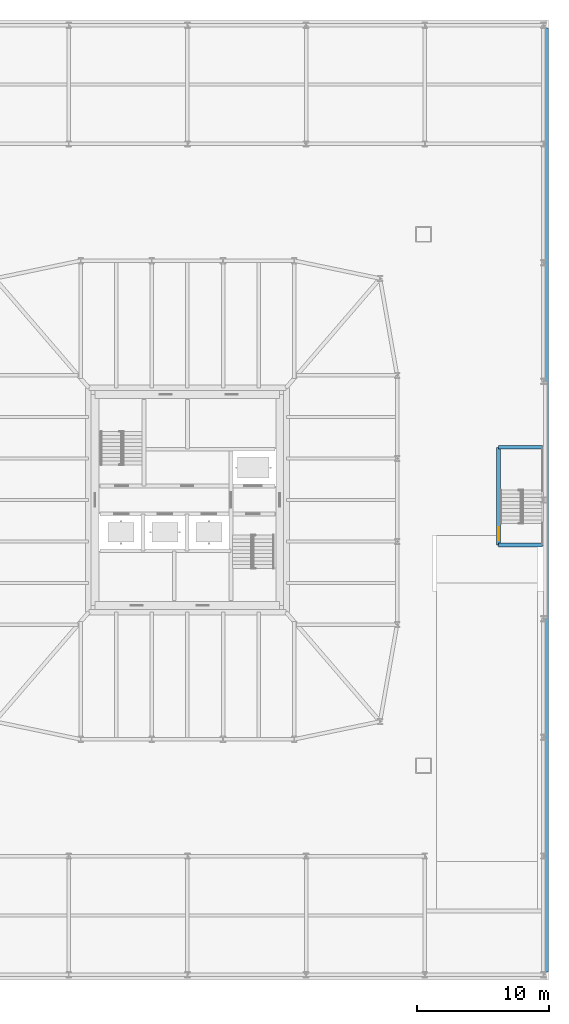
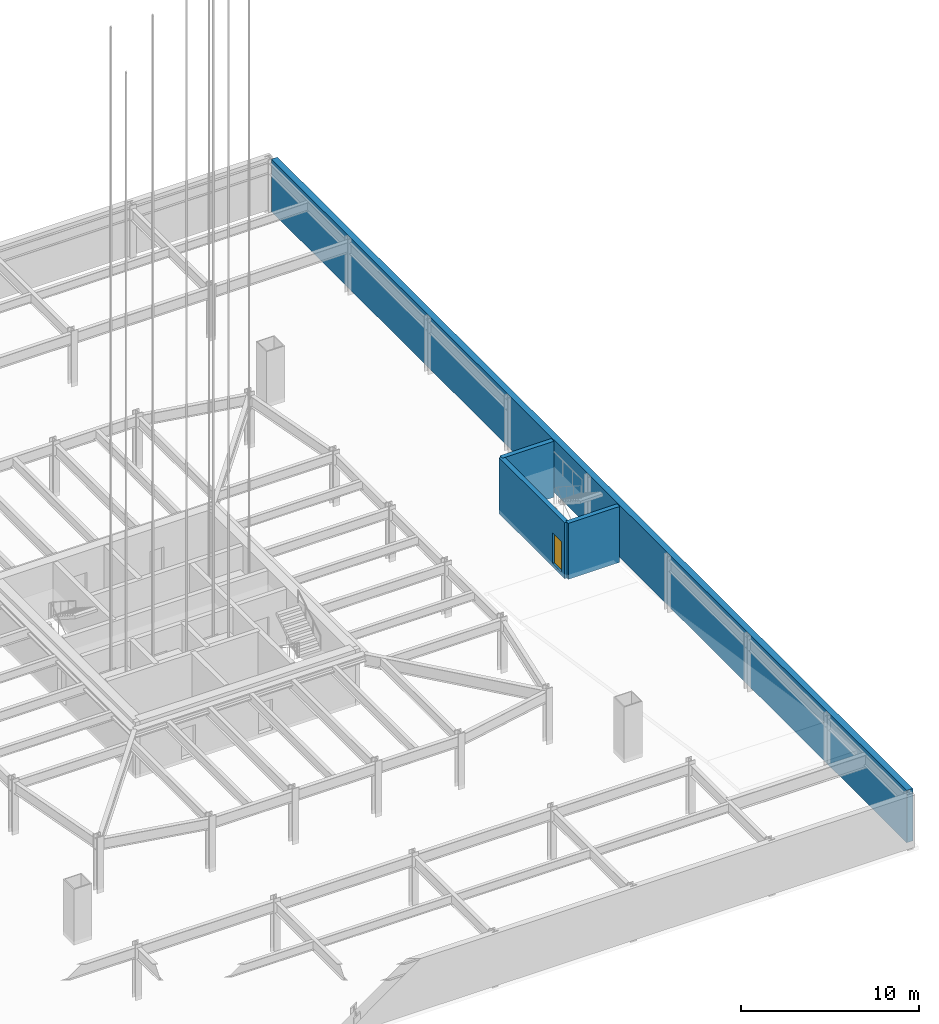
# One storey, part 16 of 35: 4 walls, 1 door, 1 opening.
"""IFC4 building model written with IfcOpenShell, lengths in metres."""

from ifc_helpers import new_model, si_unit, direction, frame, frame_2d, origin, place, context, subcontext, project, spatial, rectangle, extrude, material, layer, layer_set, type_object, element, fill, save


model = new_model("IFC4")

# Units and contexts
model_context = context("Model", 3, precision=1e-05, world=origin(), true_north=direction((0.0, 1.0)))
body_context = subcontext(model_context, "Body", "Model", "MODEL_VIEW")
ifc_project = project(units=[si_unit("LENGTHUNIT", "METRE"), si_unit("AREAUNIT", "SQUARE_METRE"), si_unit("VOLUMEUNIT", "CUBIC_METRE"), si_unit("PLANEANGLEUNIT", "RADIAN"), si_unit("MASSUNIT", "GRAM", prefix="KILO")], contexts=[model_context])

# Site, building, storey
site_placement = place(None, origin())
site = spatial("IfcSite", under=ifc_project, at=site_placement, CompositionType="ELEMENT")
building_placement = place(site_placement, origin())
building = spatial("IfcBuilding", under=site, at=building_placement, Name="Iwan Alto Co-Living Towers", CompositionType="ELEMENT")
storey_placement = place(building_placement, frame((0.0, 0.0, -7.199951171875)))
storey = spatial("IfcBuildingStorey", under=building, at=storey_placement, Name="B2", CompositionType="ELEMENT", Elevation=-7.199951171875)

# Walls
ifc_material_1 = material(Name="Concrete f'c 70 MPa", Category="concrete")
ifc_layer_1 = layer(ifc_material_1, 0.39990234375)
ifc_layer_set_1 = layer_set([ifc_layer_1], Name="BASEMENT RETAINING WALL 400")
wall_type_1 = type_object("IfcWallType", Name="BASEMENT RETAINING WALL 400", PredefinedType="SOLIDWALL", material=ifc_layer_set_1)
wall_1_placement = place(storey_placement, frame((90.199951171875, -35.800048828125, 0.0), z_axis=(0.0, 0.0, 1.0), x_axis=(0.0, 1.0, 0.0)))
element("IfcWall", 1, at=wall_1_placement, inside=storey, type_object=wall_type_1, Name="Basement retaining wall E B2", PredefinedType="SOLIDWALL", context=body_context, shape_type="SweptSolid", body=[
    extrude(rectangle(XDim=71.60009765625, YDim=0.39990234375, at=frame_2d((35.800048828125, 0.0))), origin(), (0.0, 0.0, 1.0), 3.599853515625),
])
ifc_material_2 = material(Name="Concrete f'c 70 MPa", Category="concrete")
ifc_layer_2 = layer(ifc_material_2, 0.300048828125)
ifc_layer_set_2 = layer_set([ifc_layer_2], Name="SHAFT WALL 300")
wall_type_2 = type_object("IfcWallType", Name="SHAFT WALL 300", PredefinedType="SOLIDWALL", material=ifc_layer_set_2)
for number, where, z_axis, x_axis, name in (
    (2, (86.60009765625, -3.39990234375, -0.25), (0.0, 0.0, 1.0), (1.0, 0.0, 0.0), "Shaft wall B2"),
    (3, (86.60009765625, 4.0, -0.25), (0.0, 0.0, 1.0), (1.0, 0.0, 0.0), "Shaft wall B2"),
):
    element("IfcWall", number, at=place(storey_placement, frame(where, z_axis=z_axis, x_axis=x_axis)), inside=storey, type_object=wall_type_2, Name=name, PredefinedType="SOLIDWALL", context=body_context, shape_type="SweptSolid", body=[
        extrude(rectangle(XDim=3.33984375, YDim=0.300048828125, at=frame_2d((1.669921875, 0.0))), origin(), (0.0, 0.0, 1.0), 3.849853515625),
    ])

# Wall, opening, door
wall_2_placement = place(storey_placement, frame((86.60009765625, -3.39990234375, -0.25), z_axis=(0.0, 0.0, 1.0), x_axis=(0.0, 1.0, 0.0)))
wall_2 = element("IfcWall", 4, at=wall_2_placement, inside=storey, type_object=wall_type_2, Name="Shaft wall B2", PredefinedType="SOLIDWALL", context=body_context, shape_type="SweptSolid", body=[
    extrude(rectangle(XDim=7.39990234375, YDim=0.300048828125, at=frame_2d((3.699951171875, 0.0))), origin(), (0.0, 0.0, 1.0), 3.849853515625),
])
opening_placement = place(wall_2_placement, frame((0.35009765625, 0.0, 0.25)))
opening = element("IfcOpeningElement", 5, at=opening_placement, cuts=wall_2, Name="Opening D5", PredefinedType="OPENING", context=body_context, shape_type="SweptSolid", body=[
    extrude(rectangle(XDim=1.0, YDim=2.10009765625, at=frame_2d((0.5, 1.050048828125))), frame((0.0, 0.159912109375, 0.0), z_axis=(0.0, -1.0, 0.0), x_axis=(1.0, 0.0, 0.0)), (0.0, 0.0, 1.0), 0.320068359375),
])
ifc_material_3 = material(Name="Steel frame with timber leaf", Category="steel")
door_type = type_object("IfcDoorType", Name="STAIR DOOR FD120S 1000X2100", OperationType="SINGLE_SWING_LEFT", PredefinedType="DOOR", material=ifc_material_3)
door_placement = place(opening_placement, frame((1.0, 0.0, 0.0), z_axis=(0.0, 0.0, 1.0), x_axis=(-1.0, 0.0, 0.0)))
door = element("IfcDoor", 6, at=door_placement, inside=storey, type_object=door_type, Name="Stair PS2 door B2", OperationType="SINGLE_SWING_RIGHT", OverallHeight=2.10009765625, OverallWidth=1.0, PredefinedType="DOOR", context=body_context, shape_type="SweptSolid", body=[
    extrude(rectangle(XDim=1.0, YDim=2.10009765625, at=frame_2d((0.5, 1.050048828125))), frame((0.0, 0.02490234375, 0.0), z_axis=(0.0, -1.0, 0.0), x_axis=(1.0, 0.0, 0.0)), (0.0, 0.0, 1.0), 0.050048828125),
])
fill(opening, door)

save(model, "model.ifc")
